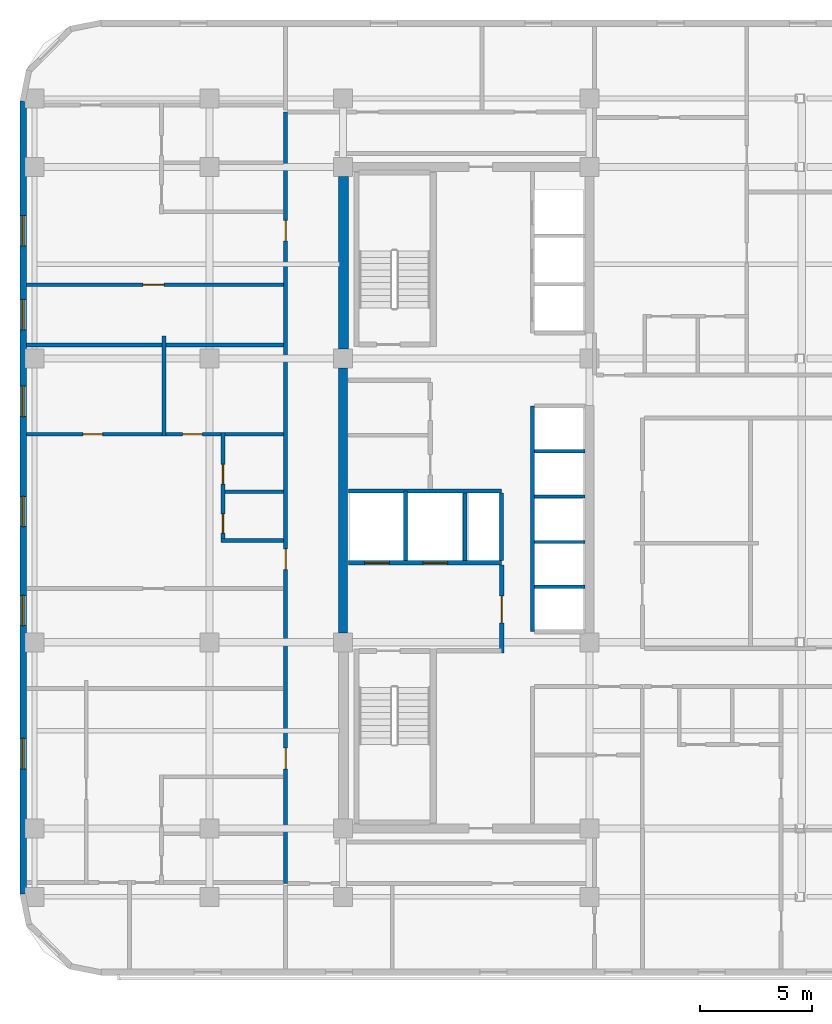
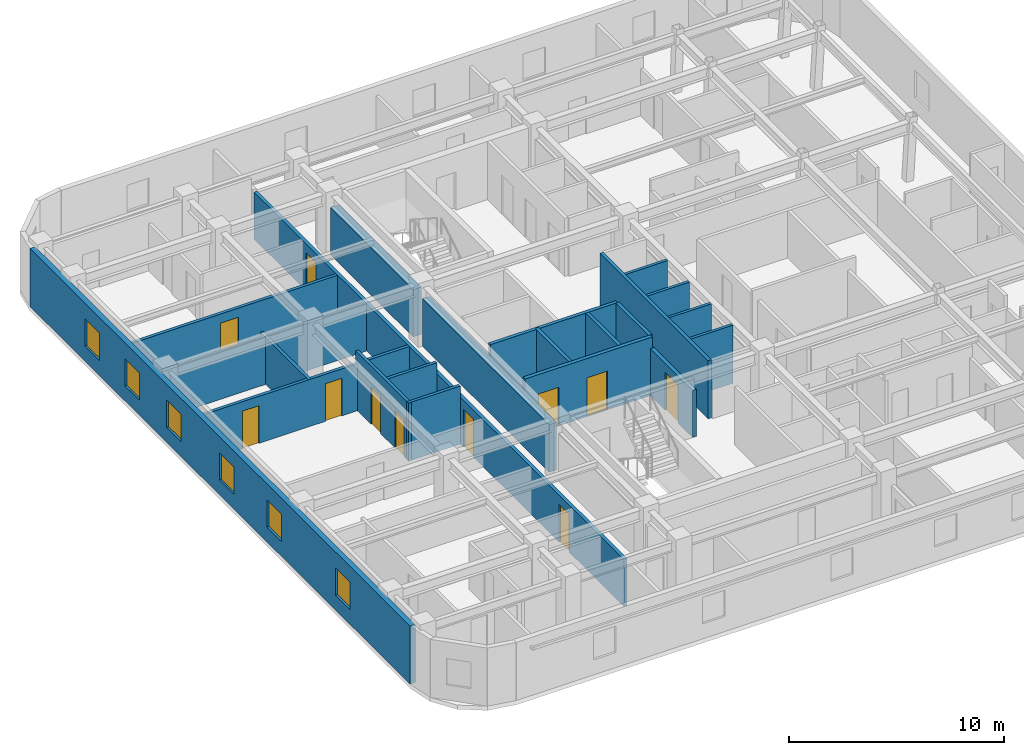
# One storey, part 4 of 11: 22 walls, 11 doors, 6 windows, 17 openings.
"""IFC4 building model written with IfcOpenShell, lengths in metres."""

from ifc_helpers import new_model, si_unit, direction, frame, frame_2d, origin, place, context, subcontext, project, spatial, rectangle, extrude, material, layer, layer_set, type_object, element, fill, save


model = new_model("IFC4")

# Units and contexts
model_context = context("Model", 3, precision=1e-05, world=origin(), true_north=direction((0.0, 1.0)))
body_context = subcontext(model_context, "Body", "Model", "MODEL_VIEW")
ifc_project = project(units=[si_unit("LENGTHUNIT", "METRE"), si_unit("AREAUNIT", "SQUARE_METRE"), si_unit("VOLUMEUNIT", "CUBIC_METRE"), si_unit("PLANEANGLEUNIT", "RADIAN"), si_unit("MASSUNIT", "GRAM", prefix="KILO")], contexts=[model_context])

# Site, building, storey
site_placement = place(None, origin())
site = spatial("IfcSite", under=ifc_project, at=site_placement, CompositionType="ELEMENT")
building_placement = place(site_placement, origin())
building = spatial("IfcBuilding", under=site, at=building_placement, Name="Ochreholt Gables", CompositionType="ELEMENT")
storey_placement = place(building_placement, frame((0.0, 0.0, 132.0)))
storey = spatial("IfcBuildingStorey", under=building, at=storey_placement, Name="L34", CompositionType="ELEMENT", Elevation=132.0)

# Walls
ifc_material_1 = material(Name="Concrete 60 MPa", Category="concrete")
ifc_layer_1 = layer(ifc_material_1, 0.39990234375, Name="Concrete 60 MPa")
ifc_layer_set_1 = layer_set([ifc_layer_1], Name="Concrete 60 MPa")
wall_type_1 = type_object("IfcWallType", Name="WALL-CSW-400", PredefinedType="SHEAR", material=ifc_layer_set_1)
wall_1_placement = place(storey_placement, frame((24.199951171875, 17.97509765625, 0.0), z_axis=(0.0, 0.0, 1.0), x_axis=(0.0, 1.0, 0.0)))
element("IfcWall", 1, at=wall_1_placement, inside=storey, type_object=wall_type_1, Name="L34 Core West Shear Wall WM", PredefinedType="SHEAR", context=body_context, shape_type="SweptSolid", body=[
    extrude(rectangle(XDim=11.7998046875, YDim=0.39990234375, at=frame_2d((5.89990234375, 0.0))), origin(), (0.0, 0.0, 1.0), 2.68896484375),
])
ifc_layer_2 = layer(ifc_material_1, 0.449951171875, Name="Concrete 60 MPa")
ifc_layer_set_2 = layer_set([ifc_layer_2], Name="Concrete 60 MPa")
wall_type_2 = type_object("IfcWallType", Name="WALL-CSW-450", PredefinedType="SHEAR", material=ifc_layer_set_2)
wall_2_placement = place(storey_placement, frame((24.22509765625, 30.625, 0.0), z_axis=(0.0, 0.0, 1.0), x_axis=(0.0, 1.0, 0.0)))
element("IfcWall", 2, at=wall_2_placement, inside=storey, type_object=wall_type_2, Name="L34 Core West Shear Wall WN", PredefinedType="SHEAR", context=body_context, shape_type="SweptSolid", body=[
    extrude(rectangle(XDim=7.699951171875, YDim=0.449951171875, at=frame_2d((3.85009765625, 0.0))), origin(), (0.0, 0.0, 1.0), 2.68896484375),
])

# Wall, openings, windows
ifc_material_2 = material(Name="Precast concrete 40 MPa", Category="concrete")
ifc_layer_3 = layer(ifc_material_2, 0.280029296875, Name="Precast concrete 40 MPa")
ifc_layer_set_3 = layer_set([ifc_layer_3], Name="Precast concrete 40 MPa")
wall_type_3 = type_object("IfcWallType", Name="WALL-EXT-280", PredefinedType="SOLIDWALL", material=ifc_layer_set_3)
wall_3_placement = place(storey_placement, frame((9.93994140625, 41.679931640625, 0.0), z_axis=(0.0, 0.0, 1.0), x_axis=(0.0, -1.0, 0.0)))
wall_3 = element("IfcWall", 3, at=wall_3_placement, inside=storey, type_object=wall_type_3, Name="L34 West Exterior Wall", PredefinedType="SOLIDWALL", context=body_context, shape_type="SweptSolid", body=[
    extrude(rectangle(XDim=35.35986328125, YDim=0.280029296875, at=frame_2d((17.679931640625, 0.0))), origin(), (0.0, 0.0, 1.0), 3.300048828125),
])
opening_1_placement = place(wall_3_placement, frame((28.419921875, 0.0, 0.85009765625)))
opening_1 = element("IfcOpeningElement", 4, at=opening_1_placement, cuts=wall_3, Name="Opening WN-8", PredefinedType="OPENING", context=body_context, shape_type="SweptSolid", body=[
    extrude(rectangle(XDim=1.35009765625, YDim=1.550048828125, at=frame_2d((0.675048828125, 0.77490234375))), frame((0.0, 0.14990234375, 0.0), z_axis=(0.0, -1.0, 0.0), x_axis=(1.0, 0.0, 0.0)), (0.0, 0.0, 1.0), 0.300048828125),
])
opening_2_placement = place(wall_3_placement, frame((22.03662109375, 0.0, 0.85009765625)))
opening_2 = element("IfcOpeningElement", 5, at=opening_2_placement, cuts=wall_3, Name="Opening WN-8", PredefinedType="OPENING", context=body_context, shape_type="SweptSolid", body=[
    extrude(rectangle(XDim=1.35009765625, YDim=1.550048828125, at=frame_2d((0.675048828125, 0.77490234375))), frame((0.0, 0.14990234375, 0.0), z_axis=(0.0, -1.0, 0.0), x_axis=(1.0, 0.0, 0.0)), (0.0, 0.0, 1.0), 0.300048828125),
])
opening_3_placement = place(wall_3_placement, frame((17.61865234375, 0.0, 0.85009765625)))
opening_3 = element("IfcOpeningElement", 6, at=opening_3_placement, cuts=wall_3, Name="Opening WN-8", PredefinedType="OPENING", context=body_context, shape_type="SweptSolid", body=[
    extrude(rectangle(XDim=1.35009765625, YDim=1.550048828125, at=frame_2d((0.675048828125, 0.77490234375))), frame((0.0, 0.14990234375, 0.0), z_axis=(0.0, -1.0, 0.0), x_axis=(1.0, 0.0, 0.0)), (0.0, 0.0, 1.0), 0.300048828125),
])
opening_4_placement = place(wall_3_placement, frame((12.7119140625, 0.0, 0.85009765625)))
opening_4 = element("IfcOpeningElement", 7, at=opening_4_placement, cuts=wall_3, Name="Opening WN-8", PredefinedType="OPENING", context=body_context, shape_type="SweptSolid", body=[
    extrude(rectangle(XDim=1.35009765625, YDim=1.550048828125, at=frame_2d((0.675048828125, 0.77490234375))), frame((0.0, 0.14990234375, 0.0), z_axis=(0.0, -1.0, 0.0), x_axis=(1.0, 0.0, 0.0)), (0.0, 0.0, 1.0), 0.300048828125),
])
opening_5_placement = place(wall_3_placement, frame((8.84765625, 0.0, 0.85009765625)))
opening_5 = element("IfcOpeningElement", 8, at=opening_5_placement, cuts=wall_3, Name="Opening WN-8", PredefinedType="OPENING", context=body_context, shape_type="SweptSolid", body=[
    extrude(rectangle(XDim=1.35009765625, YDim=1.550048828125, at=frame_2d((0.675048828125, 0.77490234375))), frame((0.0, 0.14990234375, 0.0), z_axis=(0.0, -1.0, 0.0), x_axis=(1.0, 0.0, 0.0)), (0.0, 0.0, 1.0), 0.300048828125),
])
opening_6_placement = place(wall_3_placement, frame((5.1005859375, 0.0, 0.85009765625)))
opening_6 = element("IfcOpeningElement", 9, at=opening_6_placement, cuts=wall_3, Name="Opening WN-8", PredefinedType="OPENING", context=body_context, shape_type="SweptSolid", body=[
    extrude(rectangle(XDim=1.35009765625, YDim=1.550048828125, at=frame_2d((0.675048828125, 0.77490234375))), frame((0.0, 0.14990234375, 0.0), z_axis=(0.0, -1.0, 0.0), x_axis=(1.0, 0.0, 0.0)), (0.0, 0.0, 1.0), 0.300048828125),
])
ifc_material_3 = material(Name="Triple-Glazed Thermally Broken Aluminium Window", Category="aluminium")
window_type = type_object("IfcWindowType", Name="WIN-RES-1350", PartitioningType="SINGLE_PANEL", PredefinedType="WINDOW", material=ifc_material_3)
window_1_placement = place(opening_1_placement, origin())
window_1 = element("IfcWindow", 10, at=window_1_placement, inside=storey, type_object=window_type, Name="L34 Window W-EXT-W-L34-1", OverallHeight=1.550048828125, OverallWidth=1.35009765625, PartitioningType="SINGLE_PANEL", PredefinedType="WINDOW", context=body_context, shape_type="SweptSolid", body=[
    extrude(rectangle(XDim=1.35009765625, YDim=1.550048828125, at=frame_2d((0.675048828125, 0.77490234375))), frame((0.0, 0.030029296875, 0.0), z_axis=(0.0, -1.0, 0.0), x_axis=(1.0, 0.0, 0.0)), (0.0, 0.0, 1.0), 0.06005859375),
])
fill(opening_1, window_1)
window_2_placement = place(opening_2_placement, origin())
window_2 = element("IfcWindow", 11, at=window_2_placement, inside=storey, type_object=window_type, Name="L34 Window W-EXT-W-L34-2", OverallHeight=1.550048828125, OverallWidth=1.35009765625, PartitioningType="SINGLE_PANEL", PredefinedType="WINDOW", context=body_context, shape_type="SweptSolid", body=[
    extrude(rectangle(XDim=1.35009765625, YDim=1.550048828125, at=frame_2d((0.675048828125, 0.77490234375))), frame((0.0, 0.030029296875, 0.0), z_axis=(0.0, -1.0, 0.0), x_axis=(1.0, 0.0, 0.0)), (0.0, 0.0, 1.0), 0.06005859375),
])
fill(opening_2, window_2)
window_3_placement = place(opening_3_placement, origin())
window_3 = element("IfcWindow", 12, at=window_3_placement, inside=storey, type_object=window_type, Name="L34 Window W-EXT-W-L34-3", OverallHeight=1.550048828125, OverallWidth=1.35009765625, PartitioningType="SINGLE_PANEL", PredefinedType="WINDOW", context=body_context, shape_type="SweptSolid", body=[
    extrude(rectangle(XDim=1.35009765625, YDim=1.550048828125, at=frame_2d((0.675048828125, 0.77490234375))), frame((0.0, 0.030029296875, 0.0), z_axis=(0.0, -1.0, 0.0), x_axis=(1.0, 0.0, 0.0)), (0.0, 0.0, 1.0), 0.06005859375),
])
fill(opening_3, window_3)
window_4_placement = place(opening_4_placement, origin())
window_4 = element("IfcWindow", 13, at=window_4_placement, inside=storey, type_object=window_type, Name="L34 Window W-EXT-W-L34-4", OverallHeight=1.550048828125, OverallWidth=1.35009765625, PartitioningType="SINGLE_PANEL", PredefinedType="WINDOW", context=body_context, shape_type="SweptSolid", body=[
    extrude(rectangle(XDim=1.35009765625, YDim=1.550048828125, at=frame_2d((0.675048828125, 0.77490234375))), frame((0.0, 0.030029296875, 0.0), z_axis=(0.0, -1.0, 0.0), x_axis=(1.0, 0.0, 0.0)), (0.0, 0.0, 1.0), 0.06005859375),
])
fill(opening_4, window_4)
window_5_placement = place(opening_5_placement, origin())
window_5 = element("IfcWindow", 14, at=window_5_placement, inside=storey, type_object=window_type, Name="L34 Window W-EXT-W-L34-5", OverallHeight=1.550048828125, OverallWidth=1.35009765625, PartitioningType="SINGLE_PANEL", PredefinedType="WINDOW", context=body_context, shape_type="SweptSolid", body=[
    extrude(rectangle(XDim=1.35009765625, YDim=1.550048828125, at=frame_2d((0.675048828125, 0.77490234375))), frame((0.0, 0.030029296875, 0.0), z_axis=(0.0, -1.0, 0.0), x_axis=(1.0, 0.0, 0.0)), (0.0, 0.0, 1.0), 0.06005859375),
])
fill(opening_5, window_5)
window_6_placement = place(opening_6_placement, origin())
window_6 = element("IfcWindow", 15, at=window_6_placement, inside=storey, type_object=window_type, Name="L34 Window W-EXT-W-L34-6", OverallHeight=1.550048828125, OverallWidth=1.35009765625, PartitioningType="SINGLE_PANEL", PredefinedType="WINDOW", context=body_context, shape_type="SweptSolid", body=[
    extrude(rectangle(XDim=1.35009765625, YDim=1.550048828125, at=frame_2d((0.675048828125, 0.77490234375))), frame((0.0, 0.030029296875, 0.0), z_axis=(0.0, -1.0, 0.0), x_axis=(1.0, 0.0, 0.0)), (0.0, 0.0, 1.0), 0.06005859375),
])
fill(opening_6, window_6)

# Wall, openings, doors
ifc_material_4 = material(Name="Concrete 40 MPa", Category="concrete")
ifc_layer_4 = layer(ifc_material_4, 0.199951171875, Name="Concrete 40 MPa")
ifc_layer_set_4 = layer_set([ifc_layer_4], Name="Concrete 40 MPa")
wall_type_4 = type_object("IfcWallType", Name="WALL-INT-CF200", PredefinedType="STANDARD", material=ifc_layer_set_4)
wall_4_placement = place(storey_placement, frame((24.449951171875, 21.090087890625, 0.0), z_axis=(0.0, 0.0, 1.0), x_axis=(1.0, 0.0, 0.0)))
wall_4 = element("IfcWall", 16, at=wall_4_placement, inside=storey, type_object=wall_type_4, Name="L34 Interior Wall WI-FFN-L34", PredefinedType="STANDARD", context=body_context, shape_type="SweptSolid", body=[
    extrude(rectangle(XDim=6.830078125, YDim=0.199951171875, at=frame_2d((3.4150390625, 0.0))), origin(), (0.0, 0.0, 1.0), 3.300048828125),
])
opening_7_placement = place(wall_4_placement, frame((0.719970703125, 0.0, 0.0)))
opening_7 = element("IfcOpeningElement", 17, at=opening_7_placement, cuts=wall_4, Name="Opening LD-FF", PredefinedType="OPENING", context=body_context, shape_type="SweptSolid", body=[
    extrude(rectangle(XDim=1.10009765625, YDim=2.199951171875, at=frame_2d((0.550048828125, 1.10009765625))), frame((0.0, 0.10986328125, 0.0), z_axis=(0.0, -1.0, 0.0), x_axis=(1.0, 0.0, 0.0)), (0.0, 0.0, 1.0), 0.219970703125),
])
opening_8_placement = place(wall_4_placement, frame((3.320068359375, 0.0, 0.0)))
opening_8 = element("IfcOpeningElement", 18, at=opening_8_placement, cuts=wall_4, Name="Opening LD-FF", PredefinedType="OPENING", context=body_context, shape_type="SweptSolid", body=[
    extrude(rectangle(XDim=1.10009765625, YDim=2.199951171875, at=frame_2d((0.550048828125, 1.10009765625))), frame((0.0, 0.10986328125, 0.0), z_axis=(0.0, -1.0, 0.0), x_axis=(1.0, 0.0, 0.0)), (0.0, 0.0, 1.0), 0.219970703125),
])
ifc_material_5 = material(Name="Stainless Steel", Category="steel")
door_type_1 = type_object("IfcDoorType", Name="DR-LFT-FF1100", OperationType="NOTDEFINED", PredefinedType="DOOR", material=ifc_material_5)
door_1_placement = place(opening_7_placement, origin())
door_1 = element("IfcDoor", 19, at=door_1_placement, inside=storey, type_object=door_type_1, Name="L34 Door LD-FF1-L34", OperationType="SLIDING_TO_LEFT", OverallHeight=2.199951171875, OverallWidth=1.10009765625, PredefinedType="DOOR", context=body_context, shape_type="SweptSolid", body=[
    extrude(rectangle(XDim=1.10009765625, YDim=2.199951171875, at=frame_2d((0.550048828125, 1.10009765625))), frame((0.0, 0.02490234375, 0.0), z_axis=(0.0, -1.0, 0.0), x_axis=(1.0, 0.0, 0.0)), (0.0, 0.0, 1.0), 0.050048828125),
])
fill(opening_7, door_1)
door_2_placement = place(opening_8_placement, origin())
door_2 = element("IfcDoor", 20, at=door_2_placement, inside=storey, type_object=door_type_1, Name="L34 Door LD-FF2-L34", OperationType="SLIDING_TO_LEFT", OverallHeight=2.199951171875, OverallWidth=1.10009765625, PredefinedType="DOOR", context=body_context, shape_type="SweptSolid", body=[
    extrude(rectangle(XDim=1.10009765625, YDim=2.199951171875, at=frame_2d((0.550048828125, 1.10009765625))), frame((0.0, 0.02490234375, 0.0), z_axis=(0.0, -1.0, 0.0), x_axis=(1.0, 0.0, 0.0)), (0.0, 0.0, 1.0), 0.050048828125),
])
fill(opening_8, door_2)

# Wall, opening, door
wall_5_placement = place(storey_placement, frame((31.280029296875, 17.070068359375, 0.0), z_axis=(0.0, 0.0, 1.0), x_axis=(0.0, 1.0, 0.0)))
wall_5 = element("IfcWall", 21, at=wall_5_placement, inside=storey, type_object=wall_type_4, Name="L34 Interior Wall WI-FFE-L34", PredefinedType="STANDARD", context=body_context, shape_type="SweptSolid", body=[
    extrude(rectangle(XDim=3.919921875, YDim=0.199951171875, at=frame_2d((1.9599609375, 0.0))), origin(), (0.0, 0.0, 1.0), 2.6708984375),
])
opening_9_placement = place(wall_5_placement, frame((1.35009765625, 0.0, 0.0)))
opening_9 = element("IfcOpeningElement", 22, at=opening_9_placement, cuts=wall_5, Name="Opening D-FFL", PredefinedType="OPENING", context=body_context, shape_type="SweptSolid", body=[
    extrude(rectangle(XDim=1.199951171875, YDim=2.14990234375, at=frame_2d((0.60009765625, 1.074951171875))), frame((0.0, 0.10986328125, 0.0), z_axis=(0.0, -1.0, 0.0), x_axis=(1.0, 0.0, 0.0)), (0.0, 0.0, 1.0), 0.219970703125),
])
ifc_material_6 = material(Name="Hollow Metal Steel", Category="steel")
door_type_2 = type_object("IfcDoorType", Name="DR-INT-FFL1200", OperationType="NOTDEFINED", PredefinedType="DOOR", material=ifc_material_6)
door_3_placement = place(opening_9_placement, origin())
door_3 = element("IfcDoor", 23, at=door_3_placement, inside=storey, type_object=door_type_2, Name="L34 Door D-FFL-L34", OperationType="SINGLE_SWING_LEFT", OverallHeight=2.14990234375, OverallWidth=1.199951171875, PredefinedType="DOOR", context=body_context, shape_type="SweptSolid", body=[
    extrude(rectangle(XDim=1.199951171875, YDim=2.14990234375, at=frame_2d((0.60009765625, 1.074951171875))), frame((0.0, 0.02490234375, 0.0), z_axis=(0.0, -1.0, 0.0), x_axis=(1.0, 0.0, 0.0)), (0.0, 0.0, 1.0), 0.050048828125),
])
fill(opening_9, door_3)

# Wall, openings, doors
ifc_material_7 = material(Name="Fire-Rated Gypsum Acoustic Partition", Category="gypsum")
ifc_layer_5 = layer(ifc_material_7, 0.179931640625, Name="Fire-Rated Gypsum Acoustic Partition")
ifc_layer_set_5 = layer_set([ifc_layer_5], Name="Fire-Rated Gypsum Acoustic Partition")
wall_type_5 = type_object("IfcWallType", Name="WALL-INT-CR180", PredefinedType="STANDARD", material=ifc_layer_set_5)
wall_6_placement = place(storey_placement, frame((21.64990234375, 6.800048828125, 0.0), z_axis=(0.0, 0.0, 1.0), x_axis=(0.0, 1.0, 0.0)))
wall_6 = element("IfcWall", 24, at=wall_6_placement, inside=storey, type_object=wall_type_5, Name="L34 Interior Wall WI-C2WCW-L34", PredefinedType="STANDARD", context=body_context, shape_type="SweptSolid", body=[
    extrude(rectangle(XDim=34.39990234375, YDim=0.179931640625, at=frame_2d((17.199951171875, 0.0))), origin(), (0.0, 0.0, 1.0), 2.6708984375),
])
opening_10_placement = place(wall_6_placement, frame((5.10693359375, 0.0, 0.0)))
opening_10 = element("IfcOpeningElement", 25, at=opening_10_placement, cuts=wall_6, Name="Opening D-UN1", PredefinedType="OPENING", context=body_context, shape_type="SweptSolid", body=[
    extrude(rectangle(XDim=0.919921875, YDim=2.14990234375, at=frame_2d((0.4599609375, 1.074951171875))), frame((0.0, 0.099853515625, 0.0), z_axis=(0.0, -1.0, 0.0), x_axis=(1.0, 0.0, 0.0)), (0.0, 0.0, 1.0), 0.199951171875),
])
opening_11_placement = place(wall_6_placement, frame((13.990478515625, 0.0, 0.0)))
opening_11 = element("IfcOpeningElement", 26, at=opening_11_placement, cuts=wall_6, Name="Opening D-UN1", PredefinedType="OPENING", context=body_context, shape_type="SweptSolid", body=[
    extrude(rectangle(XDim=0.919921875, YDim=2.14990234375, at=frame_2d((0.4599609375, 1.074951171875))), frame((0.0, 0.099853515625, 0.0), z_axis=(0.0, -1.0, 0.0), x_axis=(1.0, 0.0, 0.0)), (0.0, 0.0, 1.0), 0.199951171875),
])
opening_12_placement = place(wall_6_placement, frame((28.64599609375, 0.0, 0.0)))
opening_12 = element("IfcOpeningElement", 27, at=opening_12_placement, cuts=wall_6, Name="Opening D-UN1", PredefinedType="OPENING", context=body_context, shape_type="SweptSolid", body=[
    extrude(rectangle(XDim=0.919921875, YDim=2.14990234375, at=frame_2d((0.4599609375, 1.074951171875))), frame((0.0, 0.099853515625, 0.0), z_axis=(0.0, -1.0, 0.0), x_axis=(1.0, 0.0, 0.0)), (0.0, 0.0, 1.0), 0.199951171875),
])
ifc_material_8 = material(Name="Engineered Oak Timber", Category="wood")
door_type_3 = type_object("IfcDoorType", Name="DR-INT-UNT920", OperationType="NOTDEFINED", PredefinedType="DOOR", material=ifc_material_8)
door_4_placement = place(opening_10_placement, origin())
door_4 = element("IfcDoor", 28, at=door_4_placement, inside=storey, type_object=door_type_3, Name="L34 Door D-U-L34W1-ENT", OperationType="SINGLE_SWING_RIGHT", OverallHeight=2.14990234375, OverallWidth=0.919921875, PredefinedType="DOOR", context=body_context, shape_type="SweptSolid", body=[
    extrude(rectangle(XDim=0.919921875, YDim=2.14990234375, at=frame_2d((0.4599609375, 1.074951171875))), frame((0.0, 0.02490234375, 0.0), z_axis=(0.0, -1.0, 0.0), x_axis=(1.0, 0.0, 0.0)), (0.0, 0.0, 1.0), 0.050048828125),
])
fill(opening_10, door_4)
door_5_placement = place(opening_11_placement, origin())
door_5 = element("IfcDoor", 29, at=door_5_placement, inside=storey, type_object=door_type_3, Name="L34 Door D-U-L34W2-ENT", OperationType="SINGLE_SWING_LEFT", OverallHeight=2.14990234375, OverallWidth=0.919921875, PredefinedType="DOOR", context=body_context, shape_type="SweptSolid", body=[
    extrude(rectangle(XDim=0.919921875, YDim=2.14990234375, at=frame_2d((0.4599609375, 1.074951171875))), frame((0.0, 0.02490234375, 0.0), z_axis=(0.0, -1.0, 0.0), x_axis=(1.0, 0.0, 0.0)), (0.0, 0.0, 1.0), 0.050048828125),
])
fill(opening_11, door_5)
door_6_placement = place(opening_12_placement, origin())
door_6 = element("IfcDoor", 30, at=door_6_placement, inside=storey, type_object=door_type_3, Name="L34 Door D-U-L34W3-ENT", OperationType="SINGLE_SWING_RIGHT", OverallHeight=2.14990234375, OverallWidth=0.919921875, PredefinedType="DOOR", context=body_context, shape_type="SweptSolid", body=[
    extrude(rectangle(XDim=0.919921875, YDim=2.14990234375, at=frame_2d((0.4599609375, 1.074951171875))), frame((0.0, 0.02490234375, 0.0), z_axis=(0.0, -1.0, 0.0), x_axis=(1.0, 0.0, 0.0)), (0.0, 0.0, 1.0), 0.050048828125),
])
fill(opening_12, door_6)

# Walls
ifc_material_9 = material(Name="Double-Stud Acoustic Demising Wall", Category="gypsum")
ifc_layer_6 = layer(ifc_material_9, 0.179931640625, Name="Double-Stud Acoustic Demising Wall")
ifc_layer_set_6 = layer_set([ifc_layer_6], Name="Double-Stud Acoustic Demising Wall")
wall_type_6 = type_object("IfcWallType", Name="WALL-INT-DM180", PredefinedType="PARTITIONING", material=ifc_layer_set_6)
wall_7_placement = place(storey_placement, frame((10.080078125, 30.81591796875, 0.0), z_axis=(0.0, 0.0, 1.0), x_axis=(1.0, 0.0, 0.0)))
element("IfcWall", 31, at=wall_7_placement, inside=storey, type_object=wall_type_6, Name="L34 Interior Wall WI-C2UDW3-L34", PredefinedType="PARTITIONING", context=body_context, shape_type="SweptSolid", body=[
    extrude(rectangle(XDim=11.47998046875, YDim=0.179931640625, at=frame_2d((5.739990234375, 0.0))), origin(), (0.0, 0.0, 1.0), 2.6708984375),
])
ifc_material_10 = material(Name="Moisture-Resistant Plumbing Chase Wall", Category="gypsum")
ifc_layer_7 = layer(ifc_material_10, 0.159912109375, Name="Moisture-Resistant Plumbing Chase Wall")
ifc_layer_set_7 = layer_set([ifc_layer_7], Name="Moisture-Resistant Plumbing Chase Wall")
wall_type_7 = type_object("IfcWallType", Name="WALL-INT-PL160", PredefinedType="PLUMBINGWALL", material=ifc_layer_set_7)
wall_8_placement = place(storey_placement, frame((18.77197265625, 22.090576171875, 0.0), z_axis=(0.0, 0.0, 1.0), x_axis=(1.0, 0.0, 0.0)))
element("IfcWall", 32, at=wall_8_placement, inside=storey, type_object=wall_type_7, Name="L34 Interior Wall WU-L34W2-FYS", PredefinedType="PLUMBINGWALL", context=body_context, shape_type="SweptSolid", body=[
    extrude(rectangle(XDim=2.7880859375, YDim=0.159912109375, at=frame_2d((1.39404296875, 0.0))), origin(), (0.0, 0.0, 1.0), 3.300048828125),
])

# Wall, openings, doors
wall_9_placement = place(storey_placement, frame((18.85205078125, 22.00048828125, 0.0), z_axis=(0.0, 0.0, 1.0), x_axis=(0.0, 1.0, 0.0)))
wall_9 = element("IfcWall", 33, at=wall_9_placement, inside=storey, type_object=wall_type_7, Name="L34 Interior Wall WU-L34W2-WX", PredefinedType="PLUMBINGWALL", context=body_context, shape_type="SweptSolid", body=[
    extrude(rectangle(XDim=4.91552734375, YDim=0.159912109375, at=frame_2d((2.457763671875, 0.0))), origin(), (0.0, 0.0, 1.0), 3.300048828125),
])
opening_13_placement = place(wall_9_placement, frame((0.419921875, 0.0, 0.0)))
opening_13 = element("IfcOpeningElement", 34, at=opening_13_placement, cuts=wall_9, Name="Opening D-BT1", PredefinedType="OPENING", context=body_context, shape_type="SweptSolid", body=[
    extrude(rectangle(XDim=0.860107421875, YDim=2.1201171875, at=frame_2d((0.43017578125, 1.06005859375))), frame((0.0, 0.08984375, 0.0), z_axis=(0.0, -1.0, 0.0), x_axis=(1.0, 0.0, 0.0)), (0.0, 0.0, 1.0), 0.179931640625),
])
opening_14_placement = place(wall_9_placement, frame((2.598388671875, 0.0, 0.0)))
opening_14 = element("IfcOpeningElement", 35, at=opening_14_placement, cuts=wall_9, Name="Opening D-GN2", PredefinedType="OPENING", context=body_context, shape_type="SweptSolid", body=[
    extrude(rectangle(XDim=0.8798828125, YDim=2.1201171875, at=frame_2d((0.43994140625, 1.06005859375))), frame((0.0, 0.08984375, 0.0), z_axis=(0.0, -1.0, 0.0), x_axis=(1.0, 0.0, 0.0)), (0.0, 0.0, 1.0), 0.179931640625),
])
door_type_4 = type_object("IfcDoorType", Name="DR-INT-BTH860", OperationType="NOTDEFINED", PredefinedType="DOOR", material=ifc_material_8)
door_7_placement = place(opening_13_placement, origin())
door_7 = element("IfcDoor", 36, at=door_7_placement, inside=storey, type_object=door_type_4, Name="L34 Door D-U-L34W2-BTH", OperationType="SINGLE_SWING_RIGHT", OverallHeight=2.1201171875, OverallWidth=0.860107421875, PredefinedType="DOOR", context=body_context, shape_type="SweptSolid", body=[
    extrude(rectangle(XDim=0.860107421875, YDim=2.1201171875, at=frame_2d((0.43017578125, 1.06005859375))), frame((0.0, 0.02490234375, 0.0), z_axis=(0.0, -1.0, 0.0), x_axis=(1.0, 0.0, 0.0)), (0.0, 0.0, 1.0), 0.050048828125),
])
fill(opening_13, door_7)
door_type_5 = type_object("IfcDoorType", Name="DR-INT-GEN880", OperationType="NOTDEFINED", PredefinedType="DOOR", material=ifc_material_8)
door_8_placement = place(opening_14_placement, origin())
door_8 = element("IfcDoor", 37, at=door_8_placement, inside=storey, type_object=door_type_5, Name="L34 Door D-U-L34W2-KIT", OperationType="SINGLE_SWING_LEFT", OverallHeight=2.1201171875, OverallWidth=0.8798828125, PredefinedType="DOOR", context=body_context, shape_type="SweptSolid", body=[
    extrude(rectangle(XDim=0.8798828125, YDim=2.1201171875, at=frame_2d((0.43994140625, 1.06005859375))), frame((0.0, 0.02490234375, 0.0), z_axis=(0.0, -1.0, 0.0), x_axis=(1.0, 0.0, 0.0)), (0.0, 0.0, 1.0), 0.050048828125),
])
fill(opening_14, door_8)

# Wall
wall_10_placement = place(storey_placement, frame((18.931884765625, 24.268798828125, 0.0), z_axis=(0.0, 0.0, 1.0), x_axis=(1.0, 0.0, 0.0)))
element("IfcWall", 38, at=wall_10_placement, inside=storey, type_object=wall_type_7, Name="L34 Interior Wall WU-L34W2-WK", PredefinedType="PLUMBINGWALL", context=body_context, shape_type="SweptSolid", body=[
    extrude(rectangle(XDim=2.628173828125, YDim=0.159912109375, at=frame_2d((1.31396484375, 0.0))), origin(), (0.0, 0.0, 1.0), 3.300048828125),
])

# Wall, openings, doors
ifc_material_11 = material(Name="Gypsum Acoustic Stud Partition", Category="gypsum")
ifc_layer_8 = layer(ifc_material_11, 0.1650390625, Name="Gypsum Acoustic Stud Partition")
ifc_layer_set_8 = layer_set([ifc_layer_8], Name="Gypsum Acoustic Stud Partition")
wall_type_8 = type_object("IfcWallType", Name="WALL-INT-PT165", PredefinedType="PARTITIONING", material=ifc_layer_set_8)
wall_11_placement = place(storey_placement, frame((10.080078125, 26.825927734375, 0.0), z_axis=(0.0, 0.0, 1.0), x_axis=(1.0, 0.0, 0.0)))
wall_11 = element("IfcWall", 39, at=wall_11_placement, inside=storey, type_object=wall_type_8, Name="L34 Interior Wall WU-L34W2-MN", PredefinedType="PARTITIONING", context=body_context, shape_type="SweptSolid", body=[
    extrude(rectangle(XDim=11.47998046875, YDim=0.1650390625, at=frame_2d((5.739990234375, 0.0))), origin(), (0.0, 0.0, 1.0), 2.6708984375),
])
opening_15_placement = place(wall_11_placement, frame((2.519775390625, 0.0, 0.0)))
opening_15 = element("IfcOpeningElement", 40, at=opening_15_placement, cuts=wall_11, Name="Opening D-BD2", PredefinedType="OPENING", context=body_context, shape_type="SweptSolid", body=[
    extrude(rectangle(XDim=0.8798828125, YDim=2.139892578125, at=frame_2d((0.43994140625, 1.06982421875))), frame((0.0, 0.092529296875, 0.0), z_axis=(0.0, -1.0, 0.0), x_axis=(1.0, 0.0, 0.0)), (0.0, 0.0, 1.0), 0.18505859375),
])
opening_16_placement = place(wall_11_placement, frame((6.970703125, 0.0, 0.0)))
opening_16 = element("IfcOpeningElement", 41, at=opening_16_placement, cuts=wall_11, Name="Opening D-BD2", PredefinedType="OPENING", context=body_context, shape_type="SweptSolid", body=[
    extrude(rectangle(XDim=0.8798828125, YDim=2.139892578125, at=frame_2d((0.43994140625, 1.06982421875))), frame((0.0, 0.092529296875, 0.0), z_axis=(0.0, -1.0, 0.0), x_axis=(1.0, 0.0, 0.0)), (0.0, 0.0, 1.0), 0.18505859375),
])
door_type_6 = type_object("IfcDoorType", Name="DR-INT-BED880", OperationType="NOTDEFINED", PredefinedType="DOOR", material=ifc_material_8)
door_9_placement = place(opening_15_placement, origin())
door_9 = element("IfcDoor", 42, at=door_9_placement, inside=storey, type_object=door_type_6, Name="L34 Door D-U-L34W2-BD1", OperationType="SINGLE_SWING_LEFT", OverallHeight=2.139892578125, OverallWidth=0.8798828125, PredefinedType="DOOR", context=body_context, shape_type="SweptSolid", body=[
    extrude(rectangle(XDim=0.8798828125, YDim=2.139892578125, at=frame_2d((0.43994140625, 1.06982421875))), frame((0.0, 0.02490234375, 0.0), z_axis=(0.0, -1.0, 0.0), x_axis=(1.0, 0.0, 0.0)), (0.0, 0.0, 1.0), 0.050048828125),
])
fill(opening_15, door_9)
door_10_placement = place(opening_16_placement, origin())
door_10 = element("IfcDoor", 43, at=door_10_placement, inside=storey, type_object=door_type_6, Name="L34 Door D-U-L34W2-BD2", OperationType="SINGLE_SWING_RIGHT", OverallHeight=2.139892578125, OverallWidth=0.8798828125, PredefinedType="DOOR", context=body_context, shape_type="SweptSolid", body=[
    extrude(rectangle(XDim=0.8798828125, YDim=2.139892578125, at=frame_2d((0.43994140625, 1.06982421875))), frame((0.0, 0.02490234375, 0.0), z_axis=(0.0, -1.0, 0.0), x_axis=(1.0, 0.0, 0.0)), (0.0, 0.0, 1.0), 0.050048828125),
])
fill(opening_16, door_10)

# Wall
wall_12_placement = place(storey_placement, frame((16.219482421875, 26.74609375, 0.0), z_axis=(0.0, 0.0, 1.0), x_axis=(0.0, 1.0, 0.0)))
element("IfcWall", 44, at=wall_12_placement, inside=storey, type_object=wall_type_8, Name="L34 Interior Wall WU-L34W2-BSD", PredefinedType="PARTITIONING", context=body_context, shape_type="SweptSolid", body=[
    extrude(rectangle(XDim=4.4599609375, YDim=0.1650390625, at=frame_2d((2.22998046875, 0.0))), origin(), (0.0, 0.0, 1.0), 2.6708984375),
])

# Wall, opening, door
wall_13_placement = place(storey_placement, frame((10.080078125, 33.498779296875, 0.0), z_axis=(0.0, 0.0, 1.0), x_axis=(1.0, 0.0, 0.0)))
wall_13 = element("IfcWall", 45, at=wall_13_placement, inside=storey, type_object=wall_type_8, Name="L34 Interior Wall WU-L34W3-DNW", PredefinedType="PARTITIONING", context=body_context, shape_type="SweptSolid", body=[
    extrude(rectangle(XDim=11.47998046875, YDim=0.1650390625, at=frame_2d((5.739990234375, 0.0))), origin(), (0.0, 0.0, 1.0), 2.6708984375),
])
opening_17_placement = place(wall_13_placement, frame((5.195068359375, 0.0, 0.0)))
opening_17 = element("IfcOpeningElement", 46, at=opening_17_placement, cuts=wall_13, Name="Opening D-GN1", PredefinedType="OPENING", context=body_context, shape_type="SweptSolid", body=[
    extrude(rectangle(XDim=0.949951171875, YDim=2.14990234375, at=frame_2d((0.47509765625, 1.074951171875))), frame((0.0, 0.092529296875, 0.0), z_axis=(0.0, -1.0, 0.0), x_axis=(1.0, 0.0, 0.0)), (0.0, 0.0, 1.0), 0.18505859375),
])
door_type_7 = type_object("IfcDoorType", Name="DR-INT-GEN950", OperationType="NOTDEFINED", PredefinedType="DOOR", material=ifc_material_8)
door_11_placement = place(opening_17_placement, origin())
door_11 = element("IfcDoor", 47, at=door_11_placement, inside=storey, type_object=door_type_7, Name="L34 Door D-U-L34W3-DIN", OperationType="SINGLE_SWING_LEFT", OverallHeight=2.14990234375, OverallWidth=0.949951171875, PredefinedType="DOOR", context=body_context, shape_type="SweptSolid", body=[
    extrude(rectangle(XDim=0.949951171875, YDim=2.14990234375, at=frame_2d((0.47509765625, 1.074951171875))), frame((0.0, 0.02490234375, 0.0), z_axis=(0.0, -1.0, 0.0), x_axis=(1.0, 0.0, 0.0)), (0.0, 0.0, 1.0), 0.050048828125),
])
fill(opening_17, door_11)

# Walls
ifc_material_12 = material(Name="Gypsum Shaftliner and Steel Stud", Category="steel")
ifc_layer_9 = layer(ifc_material_12, 0.14990234375, Name="Gypsum Shaftliner and Steel Stud")
ifc_layer_set_9 = layer_set([ifc_layer_9], Name="Gypsum Shaftliner and Steel Stud")
wall_type_9 = type_object("IfcWallType", Name="WALL-INT-SH150", PredefinedType="STANDARD", material=ifc_layer_set_9)
for number, where, z_axis, x_axis, name in (
    (48, (32.739990234375, 20.02001953125, 0.0), (0.0, 0.0, 1.0), (1.0, 0.0, 0.0), "L34 Interior Wall WI-LFHE-DH1-L34"),
    (49, (32.739990234375, 22.02001953125, 0.0), (0.0, 0.0, 1.0), (1.0, 0.0, 0.0), "L34 Interior Wall WI-LFHE-DH2-L34"),
    (50, (32.739990234375, 24.050048828125, 0.0), (0.0, 0.0, 1.0), (1.0, 0.0, 0.0), "L34 Interior Wall WI-LFHE-DHE-L34"),
    (51, (32.739990234375, 26.070068359375, 0.0), (0.0, 0.0, 1.0), (1.0, 0.0, 0.0), "L34 Interior Wall WI-LFHE-DEX1-L34"),
):
    element("IfcWall", number, at=place(storey_placement, frame(where, z_axis=z_axis, x_axis=x_axis)), inside=storey, type_object=wall_type_9, Name=name, PredefinedType="STANDARD", context=body_context, shape_type="SweptSolid", body=[
        extrude(rectangle(XDim=2.260009765625, YDim=0.14990234375, at=frame_2d((1.1298828125, 0.0))), origin(), (0.0, 0.0, 1.0), 3.300048828125),
    ])
ifc_layer_10 = layer(ifc_material_12, 0.179931640625, Name="Gypsum Shaftliner and Steel Stud")
ifc_layer_set_10 = layer_set([ifc_layer_10], Name="Gypsum Shaftliner and Steel Stud")
wall_type_10 = type_object("IfcWallType", Name="WALL-INT-SH180", PredefinedType="STANDARD", material=ifc_layer_set_10)
wall_14_placement = place(storey_placement, frame((27.0, 21.18994140625, 0.0), z_axis=(0.0, 0.0, 1.0), x_axis=(0.0, 1.0, 0.0)))
element("IfcWall", 52, at=wall_14_placement, inside=storey, type_object=wall_type_10, Name="L34 Interior Wall WI-FFDIV-L34", PredefinedType="STANDARD", context=body_context, shape_type="SweptSolid", body=[
    extrude(rectangle(XDim=3.110107421875, YDim=0.179931640625, at=frame_2d((1.55517578125, 0.0))), origin(), (0.0, 0.0, 1.0), 3.300048828125),
])
wall_15_placement = place(storey_placement, frame((24.449951171875, 24.300048828125, 0.0), z_axis=(0.0, 0.0, 1.0), x_axis=(1.0, 0.0, 0.0)))
element("IfcWall", 53, at=wall_15_placement, inside=storey, type_object=wall_type_10, Name="L34 Interior Wall WI-FFBK-L34", PredefinedType="STANDARD", context=body_context, shape_type="SweptSolid", body=[
    extrude(rectangle(XDim=6.830078125, YDim=0.179931640625, at=frame_2d((3.4150390625, 0.0))), origin(), (0.0, 0.0, 1.0), 3.300048828125),
])
for number, where, z_axis, x_axis, name in (
    (54, (29.64990234375, 21.18994140625, 0.0), (0.0, 0.0, 1.0), (0.0, 1.0, 0.0), "L34 Interior Wall WI-FFSH-L34"),
    (55, (31.280029296875, 21.18994140625, 0.0), (0.0, 0.0, 1.0), (0.0, 1.0, 0.0), "L34 Interior Wall WI-RSE-L34"),
):
    element("IfcWall", number, at=place(storey_placement, frame(where, z_axis=z_axis, x_axis=x_axis)), inside=storey, type_object=wall_type_10, Name=name, PredefinedType="STANDARD", context=body_context, shape_type="SweptSolid", body=[
        extrude(rectangle(XDim=3.02001953125, YDim=0.179931640625, at=frame_2d((1.510009765625, 0.0))), origin(), (0.0, 0.0, 1.0), 3.300048828125),
    ])
wall_16_placement = place(storey_placement, frame((32.64990234375, 18.02001953125, 0.0), z_axis=(0.0, 0.0, 1.0), x_axis=(0.0, 1.0, 0.0)))
element("IfcWall", 56, at=wall_16_placement, inside=storey, type_object=wall_type_10, Name="L34 Interior Wall WI-LFHE-FR-L34", PredefinedType="STANDARD", context=body_context, shape_type="SweptSolid", body=[
    extrude(rectangle(XDim=10.06005859375, YDim=0.179931640625, at=frame_2d((5.030029296875, 0.0))), origin(), (0.0, 0.0, 1.0), 3.300048828125),
])

save(model, "model.ifc")
